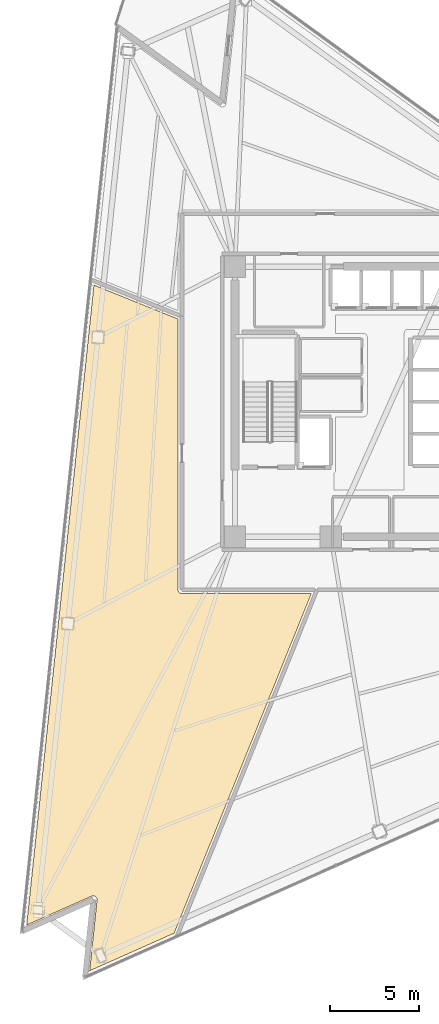
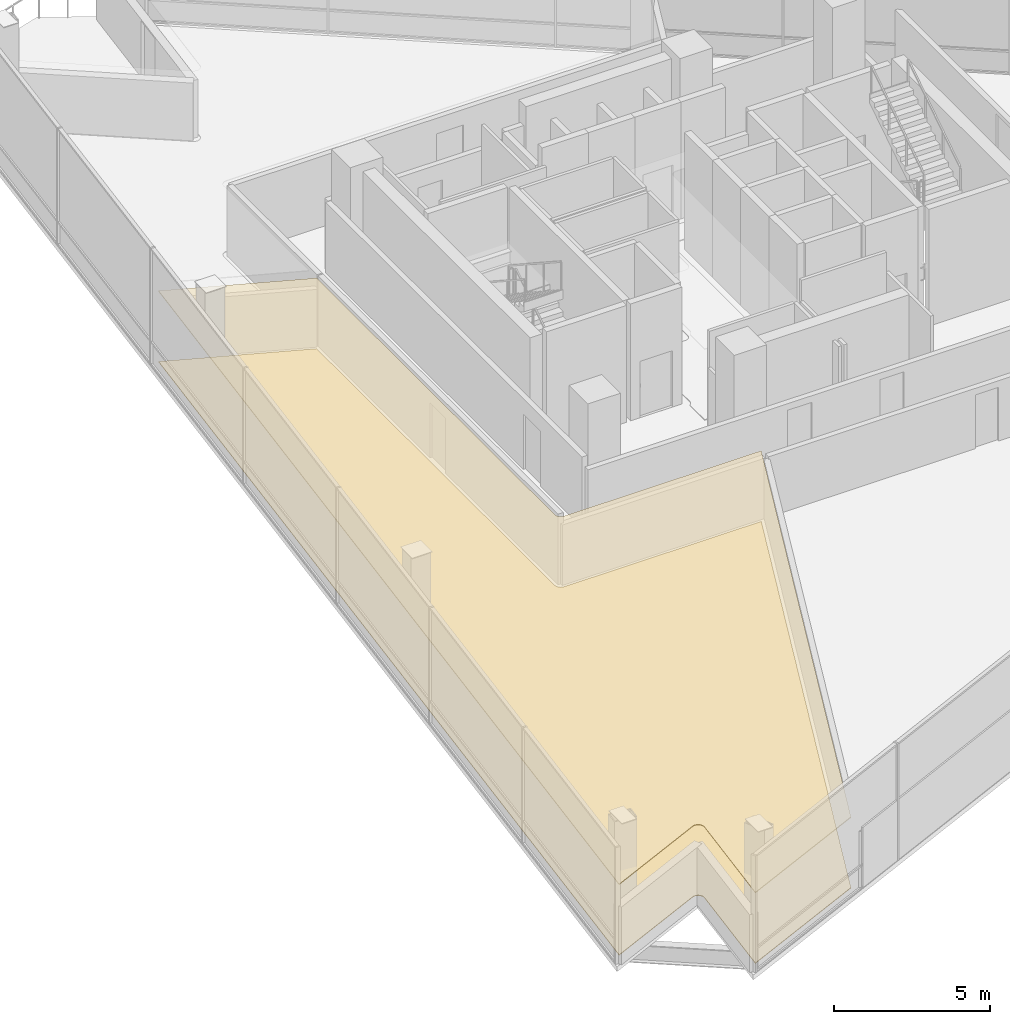
# One storey, part 14 of 18: 2 coverings.
"""IFC4 building model written with IfcOpenShell, lengths in metres."""

from ifc_helpers import new_model, si_unit, direction, frame, origin, place, context, subcontext, project, spatial, polyline, outline, extrude, material, layer, layer_set, type_object, element, save


model = new_model("IFC4")

# Units and contexts
model_context = context("Model", 3, precision=1e-05, world=origin(), true_north=direction((0.0, 1.0)))
body_context = subcontext(model_context, "Body", "Model", "MODEL_VIEW")
ifc_project = project(units=[si_unit("LENGTHUNIT", "METRE"), si_unit("AREAUNIT", "SQUARE_METRE"), si_unit("VOLUMEUNIT", "CUBIC_METRE"), si_unit("PLANEANGLEUNIT", "RADIAN"), si_unit("MASSUNIT", "GRAM", prefix="KILO")], contexts=[model_context])

# Site, building, storey
site_placement = place(None, origin())
site = spatial("IfcSite", under=ifc_project, at=site_placement, CompositionType="ELEMENT")
building_placement = place(site_placement, origin())
building = spatial("IfcBuilding", under=site, at=building_placement, Name="Tharavind Bronze Gate", CompositionType="ELEMENT")
storey_placement = place(building_placement, frame((0.0, 0.0, 134.050048828125)))
storey = spatial("IfcBuildingStorey", under=building, at=storey_placement, Name="L34", CompositionType="ELEMENT", Elevation=134.050048828125)

# Coverings
ifc_material_1 = material(Name="Engineered Oak & Carpet Tile", Category="wood")
ifc_layer_1 = layer(ifc_material_1, 0.02490234375)
ifc_layer_set_1 = layer_set([ifc_layer_1], Name="Engineered Oak & Carpet Tile")
covering_type_1 = type_object("IfcCoveringType", Name="ENGINEERED TIMBER FLOORING", PredefinedType="FLOORING", material=ifc_layer_set_1)
covering_1_placement = place(storey_placement, origin())
element("IfcCovering", 1, at=covering_1_placement, inside=storey, type_object=covering_type_1, Name="L34-RM-02 floor finish", PredefinedType="FLOORING", context=body_context, shape_type="SweptSolid", body=[
    extrude(outline(polyline([(-16.967529296875, -27.8291015625), (-16.957275390625, -27.824951171875), (-16.956787109375, -27.82470703125), (-16.93603515625, -27.81787109375), (-16.91455078125, -27.81298828125), (-16.892822265625, -27.810302734375), (-16.870849609375, -27.809814453125), (-16.84912109375, -27.811767578125), (-16.827392578125, -27.815673828125), (-16.806396484375, -27.82177734375), (-16.785888671875, -27.829833984375), (-16.7666015625, -27.83984375), (-16.748046875, -27.851806640625), (-16.73095703125, -27.865478515625), (-16.71533203125, -27.881103515625), (-16.701416015625, -27.89794921875), (-16.689208984375, -27.916015625), (-16.6787109375, -27.935302734375), (-16.67041015625, -27.95556640625), (-16.6640625, -27.9765625), (-16.65966796875, -27.998046875), (-16.65771484375, -28.02001953125), (-16.65771484375, -28.0419921875), (-16.65771484375, -28.04248046875), (-16.65869140625, -28.053466796875), (-17.07666015625, -32.02978515625), (-12.322998046875, -29.913330078125), (-4.600830078125, -10.800048828125), (-11.87939453125, -10.800048828125), (-11.89013671875, -10.7998046875), (-11.890869140625, -10.7998046875), (-11.912353515625, -10.797607421875), (-11.933349609375, -10.79345703125), (-11.9541015625, -10.787109375), (-11.97412109375, -10.77880859375), (-11.9931640625, -10.768798828125), (-12.010986328125, -10.756591796875), (-12.027587890625, -10.742919921875), (-12.04296875, -10.727783203125), (-12.056640625, -10.7109375), (-12.068603515625, -10.693115234375), (-12.078857421875, -10.674072265625), (-12.087158203125, -10.654052734375), (-12.093505859375, -10.63330078125), (-12.09765625, -10.6123046875), (-12.099609375, -10.5908203125), (-12.099609375, -10.590087890625), (-12.10009765625, -10.579345703125), (-12.10009765625, 4.6513671875), (-16.834228515625, 6.564208984375), (-20.6201171875, -29.455322265625), (-16.967529296875, -27.8291015625)])), origin(), (0.0, 0.0, 1.0), 0.02490234375),
])
ifc_material_2 = material(Name="Acoustic Gypsum Board", Category="gypsum")
ifc_layer_2 = layer(ifc_material_2, 0.030029296875)
ifc_layer_set_2 = layer_set([ifc_layer_2], Name="Acoustic Gypsum Board")
covering_type_2 = type_object("IfcCoveringType", Name="GYPSUM SUSPENDED CEILING", PredefinedType="CEILING", material=ifc_layer_set_2)
covering_2_placement = place(storey_placement, frame((0.0, 0.0, 2.75)))
element("IfcCovering", 2, at=covering_2_placement, inside=storey, type_object=covering_type_2, Name="L34-RM-02 suspended ceiling", PredefinedType="CEILING", context=body_context, shape_type="SweptSolid", body=[
    extrude(outline(polyline([(-16.967529296875, -27.8291015625), (-16.957275390625, -27.824951171875), (-16.956787109375, -27.82470703125), (-16.93603515625, -27.81787109375), (-16.91455078125, -27.81298828125), (-16.892822265625, -27.810302734375), (-16.870849609375, -27.809814453125), (-16.84912109375, -27.811767578125), (-16.827392578125, -27.815673828125), (-16.806396484375, -27.82177734375), (-16.785888671875, -27.829833984375), (-16.7666015625, -27.83984375), (-16.748046875, -27.851806640625), (-16.73095703125, -27.865478515625), (-16.71533203125, -27.881103515625), (-16.701416015625, -27.89794921875), (-16.689208984375, -27.916015625), (-16.6787109375, -27.935302734375), (-16.67041015625, -27.95556640625), (-16.6640625, -27.9765625), (-16.65966796875, -27.998046875), (-16.65771484375, -28.02001953125), (-16.65771484375, -28.0419921875), (-16.65771484375, -28.04248046875), (-16.65869140625, -28.053466796875), (-17.07666015625, -32.02978515625), (-12.322998046875, -29.913330078125), (-4.600830078125, -10.800048828125), (-11.87939453125, -10.800048828125), (-11.89013671875, -10.7998046875), (-11.890869140625, -10.7998046875), (-11.912353515625, -10.797607421875), (-11.933349609375, -10.79345703125), (-11.9541015625, -10.787109375), (-11.97412109375, -10.77880859375), (-11.9931640625, -10.768798828125), (-12.010986328125, -10.756591796875), (-12.027587890625, -10.742919921875), (-12.04296875, -10.727783203125), (-12.056640625, -10.7109375), (-12.068603515625, -10.693115234375), (-12.078857421875, -10.674072265625), (-12.087158203125, -10.654052734375), (-12.093505859375, -10.63330078125), (-12.09765625, -10.6123046875), (-12.099609375, -10.5908203125), (-12.099609375, -10.590087890625), (-12.10009765625, -10.579345703125), (-12.10009765625, 4.6513671875), (-16.834228515625, 6.564208984375), (-20.6201171875, -29.455322265625), (-16.967529296875, -27.8291015625)])), origin(), (0.0, 0.0, 1.0), 0.034912109375),
])

save(model, "model.ifc")
